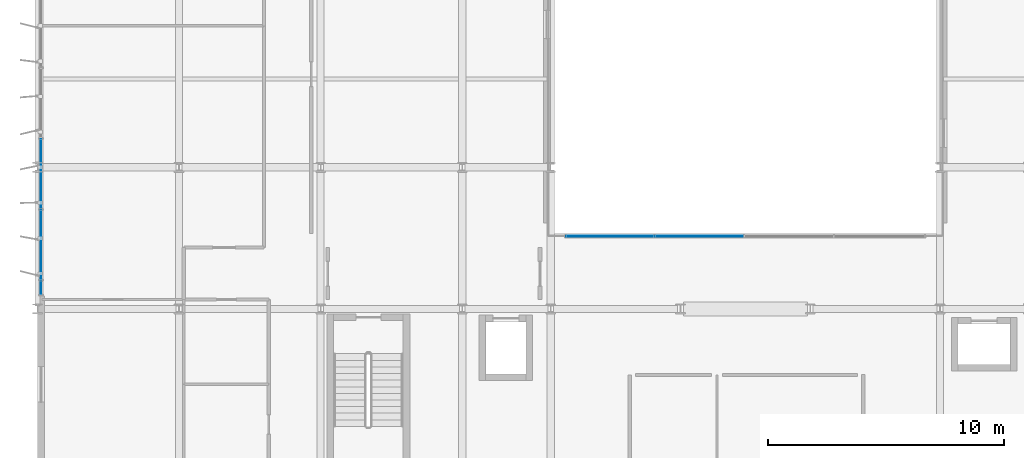
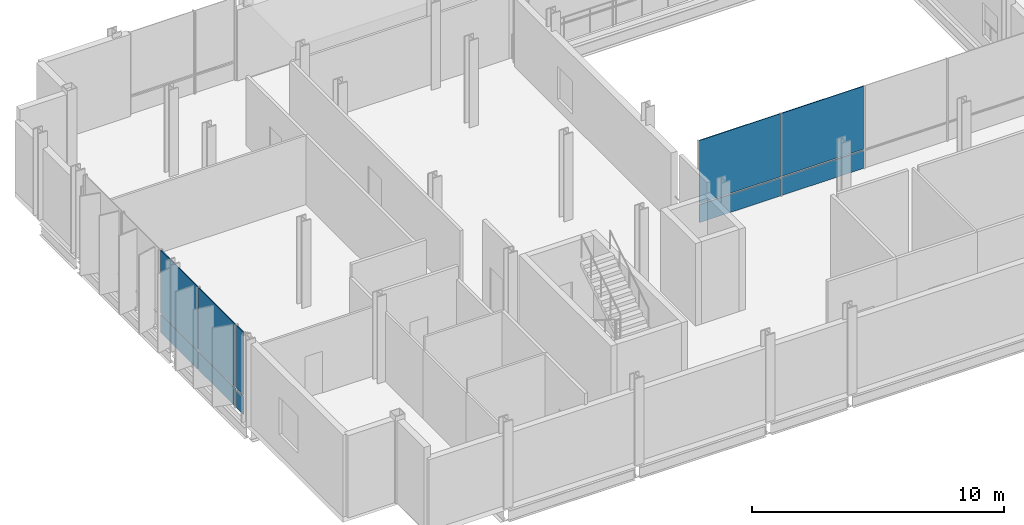
# One storey, part 21 of 32: 10 plates, 2 elements without a shape of their own.
"""IFC4 building model written with IfcOpenShell, lengths in metres."""

from ifc_helpers import new_model, si_unit, direction, frame, origin, origin_2d, place, context, subcontext, project, spatial, rectangle, extrude, material, layer, layer_set, type_object, element, aggregate, save


model = new_model("IFC4")

# Units and contexts
model_context = context("Model", 3, precision=1e-05, world=origin(), true_north=direction((0.0, 1.0)))
body_context = subcontext(model_context, "Body", "Model", "MODEL_VIEW")
ifc_project = project(units=[si_unit("LENGTHUNIT", "METRE"), si_unit("AREAUNIT", "SQUARE_METRE"), si_unit("VOLUMEUNIT", "CUBIC_METRE"), si_unit("PLANEANGLEUNIT", "RADIAN"), si_unit("MASSUNIT", "GRAM", prefix="KILO")], contexts=[model_context])

# Site, building, storey
site_placement = place(None, origin())
site = spatial("IfcSite", under=ifc_project, at=site_placement, CompositionType="ELEMENT")
building_placement = place(site_placement, origin())
building = spatial("IfcBuilding", under=site, at=building_placement, Name="Brevholm Reach", CompositionType="ELEMENT")
storey_placement = place(building_placement, frame((0.0, 0.0, 134.5)))
storey = spatial("IfcBuildingStorey", under=building, at=storey_placement, Name="L40", CompositionType="ELEMENT", Elevation=134.5)

# Curtain wall, plates
ifc_material_1 = material(Name="Dark Anodised Aluminium 6063-T6 and Solar-Control Glass", Category="aluminium")
ifc_layer_1 = layer(ifc_material_1, 0.179931640625)
ifc_layer_set_1 = layer_set([ifc_layer_1], Name="Dark Anodised Aluminium 6063-T6 and Solar-Control Glass")
curtain_wall_type_1 = type_object("IfcCurtainWallType", Name="CW-05", PredefinedType="NOTDEFINED", material=ifc_layer_set_1)
curtain_wall_1_placement = place(storey_placement, origin())
curtain_wall_1 = element("IfcCurtainWall", 1, at=curtain_wall_1_placement, inside=storey, type_object=curtain_wall_type_1, Name="L40 Curtain Wall CW-05", PredefinedType="NOTDEFINED")
ifc_material_2 = material(Name="Low-Iron Laminated Acoustic Glass", Category="glass")
ifc_layer_2 = layer(ifc_material_2, 0.035888671875)
ifc_layer_set_2 = layer_set([ifc_layer_2], Name="Low-Iron Laminated Acoustic Glass")
plate_type = type_object("IfcPlateType", Name="CWP-GLZ-36", PredefinedType="CURTAIN_PANEL", material=ifc_layer_set_2)
plate_1_placement = place(storey_placement, frame((0.14990234375, 15.719970703125, 0.0), z_axis=(0.0, 0.0, 1.0), x_axis=(0.0, -1.0, 0.0)))
plate_1 = element("IfcPlate", 2, at=plate_1_placement, type_object=plate_type, Name="CP-02 Glazing Panel 3.1", PredefinedType="CURTAIN_PANEL", context=body_context, shape_type="SweptSolid", body=[
    extrude(rectangle(XDim=2.925048828125, YDim=0.035888671875, at=origin_2d()), origin(), (0.0, 0.0, 1.0), 0.862548828125),
])
plate_2_placement = place(storey_placement, frame((0.14990234375, 15.719970703125, 0.9375), z_axis=(0.0, 0.0, 1.0), x_axis=(0.0, -1.0, 0.0)))
plate_2 = element("IfcPlate", 3, at=plate_2_placement, type_object=plate_type, Name="CP-02 Glazing Panel 3.2", PredefinedType="CURTAIN_PANEL", context=body_context, shape_type="SweptSolid", body=[
    extrude(rectangle(XDim=2.925048828125, YDim=0.035888671875, at=origin_2d()), origin(), (0.0, 0.0, 1.0), 3.04248046875),
])
plate_3_placement = place(storey_placement, frame((0.14990234375, 12.719970703125, 0.0), z_axis=(0.0, 0.0, 1.0), x_axis=(0.0, -1.0, 0.0)))
plate_3 = element("IfcPlate", 4, at=plate_3_placement, type_object=plate_type, Name="CP-02 Glazing Panel 4.1", PredefinedType="CURTAIN_PANEL", context=body_context, shape_type="SweptSolid", body=[
    extrude(rectangle(XDim=2.925048828125, YDim=0.035888671875, at=origin_2d()), origin(), (0.0, 0.0, 1.0), 0.862548828125),
])
plate_4_placement = place(storey_placement, frame((0.14990234375, 12.719970703125, 0.9375), z_axis=(0.0, 0.0, 1.0), x_axis=(0.0, -1.0, 0.0)))
plate_4 = element("IfcPlate", 5, at=plate_4_placement, type_object=plate_type, Name="CP-02 Glazing Panel 4.2", PredefinedType="CURTAIN_PANEL", context=body_context, shape_type="SweptSolid", body=[
    extrude(rectangle(XDim=2.925048828125, YDim=0.035888671875, at=origin_2d()), origin(), (0.0, 0.0, 1.0), 3.04248046875),
])
plate_5_placement = place(storey_placement, frame((0.14990234375, 10.90380859375, 0.0), z_axis=(0.0, 0.0, 1.0), x_axis=(0.0, -1.0, 0.0)))
plate_5 = element("IfcPlate", 6, at=plate_5_placement, type_object=plate_type, Name="CP-02 Glazing Panel 5.1", PredefinedType="CURTAIN_PANEL", context=body_context, shape_type="SweptSolid", body=[
    extrude(rectangle(XDim=0.5576171875, YDim=0.035888671875, at=origin_2d()), origin(), (0.0, 0.0, 1.0), 0.862548828125),
])
plate_6_placement = place(storey_placement, frame((0.14990234375, 10.90380859375, 0.9375), z_axis=(0.0, 0.0, 1.0), x_axis=(0.0, -1.0, 0.0)))
plate_6 = element("IfcPlate", 7, at=plate_6_placement, type_object=plate_type, Name="CP-02 Glazing Panel 5.2", PredefinedType="CURTAIN_PANEL", context=body_context, shape_type="SweptSolid", body=[
    extrude(rectangle(XDim=0.5576171875, YDim=0.035888671875, at=origin_2d()), origin(), (0.0, 0.0, 1.0), 3.04248046875),
])
aggregate(curtain_wall_1, [plate_1, plate_2, plate_3, plate_4, plate_5, plate_6])

ifc_material_3 = material(Name="Dark Anodised Aluminium 6063-T6 and Solar-Control Glass", Category="aluminium")
ifc_layer_3 = layer(ifc_material_3, 0.139892578125)
ifc_layer_set_3 = layer_set([ifc_layer_3], Name="Dark Anodised Aluminium 6063-T6 and Solar-Control Glass")
curtain_wall_type_2 = type_object("IfcCurtainWallType", Name="CW-02", PredefinedType="NOTDEFINED", material=ifc_layer_set_3)
curtain_wall_2_placement = place(storey_placement, origin())
curtain_wall_2 = element("IfcCurtainWall", 8, at=curtain_wall_2_placement, inside=storey, type_object=curtain_wall_type_2, Name="L40 Curtain Wall CW-02", PredefinedType="NOTDEFINED")
plate_7_placement = place(storey_placement, frame((24.264892578125, 13.080078125, 0.0), z_axis=(0.0, 0.0, 1.0), x_axis=(1.0, 0.0, 0.0)))
plate_7 = element("IfcPlate", 9, at=plate_7_placement, type_object=plate_type, Name="CP-02 Glazing Panel 1.1", PredefinedType="CURTAIN_PANEL", context=body_context, shape_type="SweptSolid", body=[
    extrude(rectangle(XDim=3.7099609375, YDim=0.035888671875, at=origin_2d()), origin(), (0.0, 0.0, 1.0), 0.8701171875),
])
plate_8_placement = place(storey_placement, frame((24.264892578125, 13.080078125, 0.93017578125), z_axis=(0.0, 0.0, 1.0), x_axis=(1.0, 0.0, 0.0)))
plate_8 = element("IfcPlate", 10, at=plate_8_placement, type_object=plate_type, Name="CP-02 Glazing Panel 1.2", PredefinedType="CURTAIN_PANEL", context=body_context, shape_type="SweptSolid", body=[
    extrude(rectangle(XDim=3.7099609375, YDim=0.035888671875, at=origin_2d()), origin(), (0.0, 0.0, 1.0), 3.050048828125),
])
plate_9_placement = place(storey_placement, frame((28.050048828125, 13.080078125, 0.0), z_axis=(0.0, 0.0, 1.0), x_axis=(1.0, 0.0, 0.0)))
plate_9 = element("IfcPlate", 11, at=plate_9_placement, type_object=plate_type, Name="CP-02 Glazing Panel 2.1", PredefinedType="CURTAIN_PANEL", context=body_context, shape_type="SweptSolid", body=[
    extrude(rectangle(XDim=3.739990234375, YDim=0.035888671875, at=origin_2d()), origin(), (0.0, 0.0, 1.0), 0.8701171875),
])
plate_10_placement = place(storey_placement, frame((28.050048828125, 13.080078125, 0.93017578125), z_axis=(0.0, 0.0, 1.0), x_axis=(1.0, 0.0, 0.0)))
plate_10 = element("IfcPlate", 12, at=plate_10_placement, type_object=plate_type, Name="CP-02 Glazing Panel 2.2", PredefinedType="CURTAIN_PANEL", context=body_context, shape_type="SweptSolid", body=[
    extrude(rectangle(XDim=3.739990234375, YDim=0.035888671875, at=origin_2d()), origin(), (0.0, 0.0, 1.0), 3.050048828125),
])
aggregate(curtain_wall_2, [plate_7, plate_8, plate_9, plate_10])

save(model, "model.ifc")
